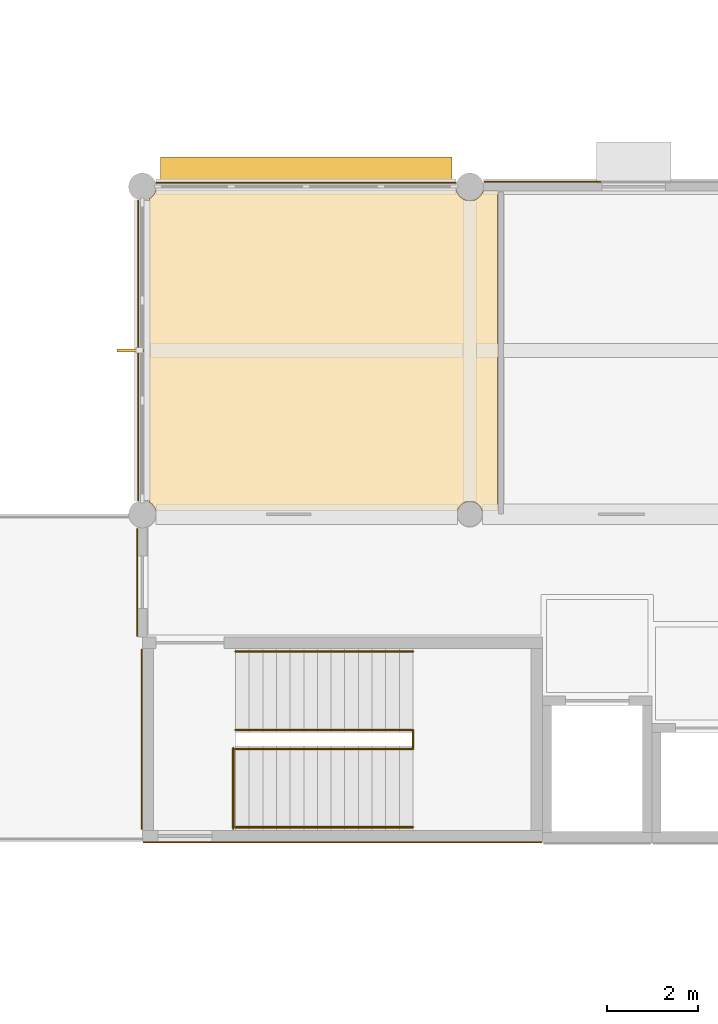
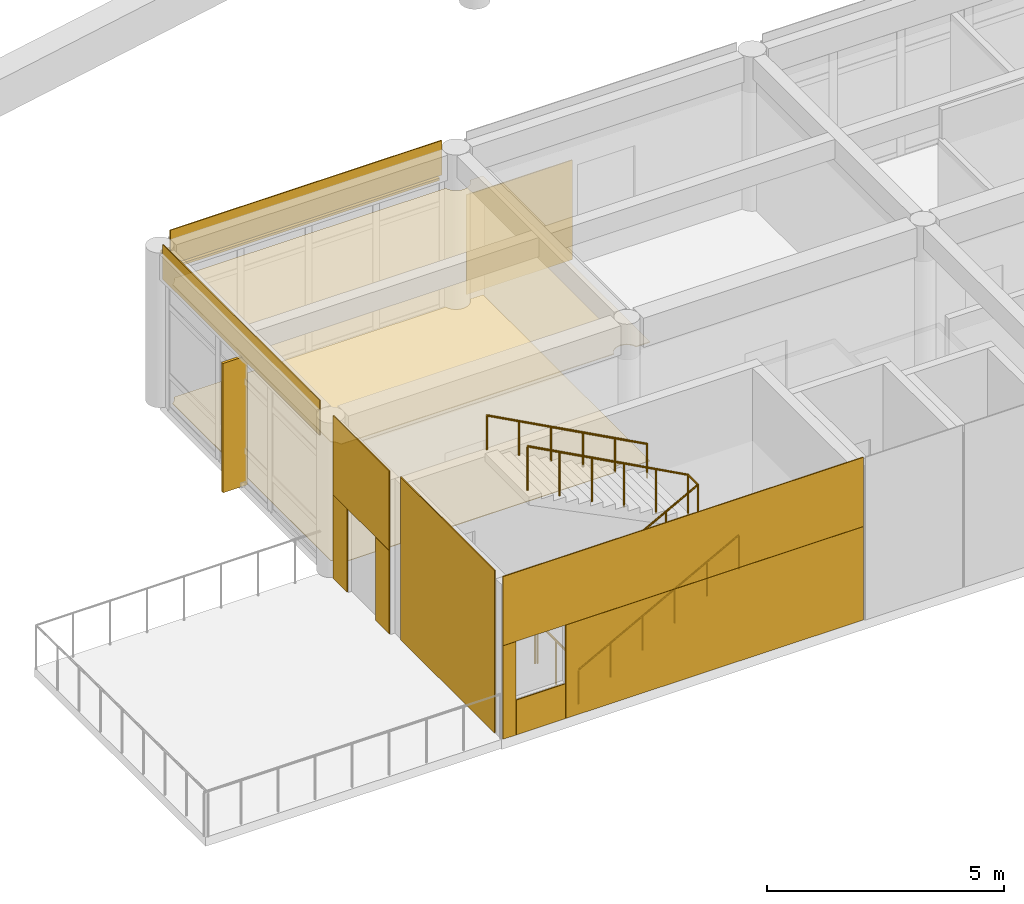
# One storey, part 31 of 37: 13 coverings, 4 railings, 2 shading devices.
"""IFC4 building model written with IfcOpenShell, lengths in metres."""

from ifc_helpers import new_model, si_unit, direction, frame, origin, origin_2d, place, context, subcontext, project, spatial, polyline, rectangle, circle, outline, extrude, material, layer, layer_set, type_object, element, save


model = new_model("IFC4")

# Units and contexts
model_context = context("Model", 3, precision=1e-05, world=origin(), true_north=direction((0.0, 1.0)))
body_context = subcontext(model_context, "Body", "Model", "MODEL_VIEW")
ifc_project = project(units=[si_unit("LENGTHUNIT", "METRE"), si_unit("AREAUNIT", "SQUARE_METRE"), si_unit("VOLUMEUNIT", "CUBIC_METRE"), si_unit("PLANEANGLEUNIT", "RADIAN"), si_unit("MASSUNIT", "GRAM", prefix="KILO")], contexts=[model_context])

# Site, building, storey
site_placement = place(None, origin())
site = spatial("IfcSite", under=ifc_project, at=site_placement, CompositionType="ELEMENT")
building_placement = place(site_placement, origin())
building = spatial("IfcBuilding", under=site, at=building_placement, Name="Namkhue Oval Health Centre", CompositionType="ELEMENT")
storey_placement = place(building_placement, frame((0.0, 0.0, 22.199951171875)))
storey = spatial("IfcBuildingStorey", under=building, at=storey_placement, Name="L05", CompositionType="ELEMENT", Elevation=22.199951171875)

# Coverings
ifc_material_1 = material(Name="Acoustic mineral-fibre cleanroom ceiling", Category="gypsum")
ifc_layer_1 = layer(ifc_material_1, 0.02001953125)
ifc_layer_set_1 = layer_set([ifc_layer_1], Name="Acoustic mineral-fibre cleanroom ceiling")
covering_type_1 = type_object("IfcCoveringType", Name="ACOUSTIC CLEANROOM CEILING 20", PredefinedType="CEILING", material=ifc_layer_set_1)
covering_1_placement = place(storey_placement, frame((0.0, 0.0, 3.050048828125)))
element("IfcCovering", 1, at=covering_1_placement, inside=storey, type_object=covering_type_1, Name="Acoustic Ceiling L05-201 Preventive Care Terrace Lounge", PredefinedType="CEILING", context=body_context, shape_type="SweptSolid", body=[
    extrude(outline(polyline([(65.07275390625, 97.280029296875), (65.046875, 97.342529296875), (65.00146484375, 97.401611328125), (64.9423828125, 97.44677734375), (64.873779296875, 97.475341796875), (64.800048828125, 97.485107421875), (64.726318359375, 97.475341796875), (64.657470703125, 97.44677734375), (64.598388671875, 97.401611328125), (64.55322265625, 97.342529296875), (64.52734375, 97.280029296875), (57.8994140625, 97.280029296875), (57.868408203125, 97.35498046875), (57.819091796875, 97.419189453125), (57.7548828125, 97.468505859375), (57.7548828125, 104.131591796875), (57.819091796875, 104.180908203125), (57.868408203125, 104.2451171875), (57.8974609375, 104.31494140625), (64.50244140625, 104.31494140625), (64.531494140625, 104.2451171875), (64.580810546875, 104.180908203125), (64.64501953125, 104.131591796875), (64.7197265625, 104.1005859375), (64.800048828125, 104.090087890625), (64.880126953125, 104.1005859375), (64.955078125, 104.131591796875), (65.019287109375, 104.180908203125), (65.068603515625, 104.2451171875), (65.097412109375, 104.31494140625), (65.409912109375, 104.31494140625), (65.409912109375, 97.280029296875), (65.07275390625, 97.280029296875)])), origin(), (0.0, 0.0, 1.0), 0.02001953125),
])
ifc_material_2 = material(Name="Homogeneous anti-bacterial clinical vinyl flooring", Category="plastic")
ifc_layer_2 = layer(ifc_material_2, 0.014892578125)
ifc_layer_set_2 = layer_set([ifc_layer_2], Name="Homogeneous anti-bacterial clinical vinyl flooring")
covering_type_2 = type_object("IfcCoveringType", Name="CLINICAL ANTIBACTERIAL VINYL FLOORING 15", PredefinedType="FLOORING", material=ifc_layer_set_2)
covering_2_placement = place(storey_placement, origin())
element("IfcCovering", 2, at=covering_2_placement, inside=storey, type_object=covering_type_2, Name="Clinical Flooring L05-201 Preventive Care Terrace Lounge", PredefinedType="FLOORING", context=body_context, shape_type="SweptSolid", body=[
    extrude(outline(polyline([(65.07275390625, 97.280029296875), (65.046875, 97.342529296875), (65.00146484375, 97.401611328125), (64.9423828125, 97.44677734375), (64.873779296875, 97.475341796875), (64.800048828125, 97.485107421875), (64.726318359375, 97.475341796875), (64.657470703125, 97.44677734375), (64.598388671875, 97.401611328125), (64.55322265625, 97.342529296875), (64.52734375, 97.280029296875), (57.8994140625, 97.280029296875), (57.868408203125, 97.35498046875), (57.819091796875, 97.419189453125), (57.7548828125, 97.468505859375), (57.7548828125, 104.131591796875), (57.819091796875, 104.180908203125), (57.868408203125, 104.2451171875), (57.8974609375, 104.31494140625), (64.50244140625, 104.31494140625), (64.531494140625, 104.2451171875), (64.580810546875, 104.180908203125), (64.64501953125, 104.131591796875), (64.7197265625, 104.1005859375), (64.800048828125, 104.090087890625), (64.880126953125, 104.1005859375), (64.955078125, 104.131591796875), (65.019287109375, 104.180908203125), (65.068603515625, 104.2451171875), (65.097412109375, 104.31494140625), (65.409912109375, 104.31494140625), (65.409912109375, 97.280029296875), (65.07275390625, 97.280029296875)])), origin(), (0.0, 0.0, 1.0), 0.01513671875),
])

# Railings
ifc_material_3 = material(Name="Brushed stainless steel 316L balustrade with laminated glass infill", Category="steel")
railing_type_1 = type_object("IfcRailingType", Name="INTERIOR BALUSTRADE GUARD 1150", PredefinedType="BALUSTRADE", material=ifc_material_3)
railing_1_placement = place(storey_placement, frame((59.60009765625, 90.2900390625, 0.0)))
element("IfcRailing", 3, at=railing_1_placement, inside=storey, type_object=railing_type_1, Name="Stair ST-03 L05 Landing Well Edge Guard", PredefinedType="BALUSTRADE", context=body_context, shape_type="SweptSolid", body=[
    extrude(circle(Radius=0.02392578125, at=origin_2d()), frame((0.0, 0.0, 1.1259765625), z_axis=(0.0, 1.0, 0.0), x_axis=(-1.0, 0.0, 0.0)), (0.0, 0.0, 1.0), 1.77001953125),
    extrude(circle(Radius=0.02099609375, at=origin_2d()), origin(), (0.0, 0.0, 1.0), 1.101806640625),
    extrude(circle(Radius=0.02099609375, at=origin_2d()), frame((0.0, 0.885009765625, 0.0)), (0.0, 0.0, 1.0), 1.101806640625),
    extrude(circle(Radius=0.02099609375, at=origin_2d()), frame((0.0, 1.77001953125, 0.0)), (0.0, 0.0, 1.0), 1.101806640625),
])
railing_2_placement = place(storey_placement, frame((59.64990234375, 92.0400390625, 0.0)))
element("IfcRailing", 4, at=railing_2_placement, inside=storey, type_object=railing_type_1, Name="Stair ST-03 L05 Inner Well Guard", PredefinedType="BALUSTRADE", context=body_context, shape_type="SweptSolid", body=[
    extrude(circle(Radius=0.02392578125, at=origin_2d()), frame((0.0, 0.0, 1.1259765625), z_axis=(0.880469330154, 0.0, 0.474103109733), x_axis=(0.0, 1.0, 0.0)), (0.0, 0.0, 1.0), 4.4296875),
    extrude(circle(Radius=0.02392578125, at=origin_2d()), frame((3.900146484375, 0.0, 3.22607421875), z_axis=(0.0, 1.0, 0.0), x_axis=(-1.0, 0.0, 0.0)), (0.0, 0.0, 1.0), 0.419921875),
    extrude(circle(Radius=0.02392578125, at=origin_2d()), frame((3.900146484375, 0.419921875, 3.22607421875), z_axis=(-0.88049233674, 0.0, 0.474060381114), x_axis=(0.0, -1.0, 0.0)), (0.0, 0.0, 1.0), 4.429443359375),
    extrude(circle(Radius=0.02099609375, at=origin_2d()), origin(), (0.0, 0.0, 1.0), 1.101806640625),
    extrude(circle(Radius=0.02099609375, at=origin_2d()), frame((0.780029296875, 0.0, 0.419921875)), (0.0, 0.0, 1.0), 1.101806640625),
    extrude(circle(Radius=0.02099609375, at=origin_2d()), frame((1.56005859375, 0.0, 0.840087890625)), (0.0, 0.0, 1.0), 1.101806640625),
    extrude(circle(Radius=0.02099609375, at=origin_2d()), frame((2.340087890625, 0.0, 1.260009765625)), (0.0, 0.0, 1.0), 1.101806640625),
    extrude(circle(Radius=0.02099609375, at=origin_2d()), frame((3.1201171875, 0.0, 1.68017578125)), (0.0, 0.0, 1.0), 1.101806640625),
    extrude(circle(Radius=0.02099609375, at=origin_2d()), frame((3.900146484375, 0.0, 2.10009765625)), (0.0, 0.0, 1.0), 1.101806640625),
    extrude(circle(Radius=0.02099609375, at=origin_2d()), frame((3.900146484375, 0.419921875, 2.10009765625)), (0.0, 0.0, 1.0), 1.101806640625),
    extrude(circle(Radius=0.02099609375, at=origin_2d()), frame((3.1201171875, 0.419921875, 2.52001953125)), (0.0, 0.0, 1.0), 1.101806640625),
    extrude(circle(Radius=0.02099609375, at=origin_2d()), frame((2.340087890625, 0.419921875, 2.93994140625)), (0.0, 0.0, 1.0), 1.101806640625),
    extrude(circle(Radius=0.02099609375, at=origin_2d()), frame((1.56005859375, 0.419921875, 3.360107421875)), (0.0, 0.0, 1.0), 1.101806640625),
    extrude(circle(Radius=0.02099609375, at=origin_2d()), frame((0.780029296875, 0.419921875, 3.780029296875)), (0.0, 0.0, 1.0), 1.101806640625),
    extrude(circle(Radius=0.02099609375, at=origin_2d()), frame((0.0, 0.419921875, 4.199951171875)), (0.0, 0.0, 1.0), 1.101806640625),
])
ifc_material_4 = material(Name="Brushed stainless steel 304 tubular handrail", Category="steel")
railing_type_2 = type_object("IfcRailingType", Name="INTERIOR STAIR HANDRAIL 900", PredefinedType="HANDRAIL", material=ifc_material_4)
railing_3_placement = place(storey_placement, frame((59.64990234375, 90.320068359375, 0.0)))
element("IfcRailing", 5, at=railing_3_placement, inside=storey, type_object=railing_type_2, Name="Stair ST-03 L05 Flight 1 Handrail", PredefinedType="HANDRAIL", context=body_context, shape_type="SweptSolid", body=[
    extrude(circle(Radius=0.02392578125, at=origin_2d()), frame((0.0, 0.0, 0.8759765625), z_axis=(0.880469330154, 0.0, 0.474103109733), x_axis=(0.0, 1.0, 0.0)), (0.0, 0.0, 1.0), 4.4296875),
    extrude(circle(Radius=0.02099609375, at=origin_2d()), origin(), (0.0, 0.0, 1.0), 0.851806640625),
    extrude(circle(Radius=0.02099609375, at=origin_2d()), frame((0.780029296875, 0.0, 0.419921875)), (0.0, 0.0, 1.0), 0.851806640625),
    extrude(circle(Radius=0.02099609375, at=origin_2d()), frame((1.56005859375, 0.0, 0.840087890625)), (0.0, 0.0, 1.0), 0.851806640625),
    extrude(circle(Radius=0.02099609375, at=origin_2d()), frame((2.340087890625, 0.0, 1.260009765625)), (0.0, 0.0, 1.0), 0.851806640625),
    extrude(circle(Radius=0.02099609375, at=origin_2d()), frame((3.1201171875, 0.0, 1.68017578125)), (0.0, 0.0, 1.0), 0.851806640625),
    extrude(circle(Radius=0.02099609375, at=origin_2d()), frame((3.900146484375, 0.0, 2.10009765625)), (0.0, 0.0, 1.0), 0.851806640625),
])
railing_4_placement = place(storey_placement, frame((63.550048828125, 94.179931640625, 2.10009765625)))
element("IfcRailing", 6, at=railing_4_placement, inside=storey, type_object=railing_type_2, Name="Stair ST-03 L05 Flight 2 Handrail", PredefinedType="HANDRAIL", context=body_context, shape_type="SweptSolid", body=[
    extrude(circle(Radius=0.02392578125, at=origin_2d()), frame((0.0, 0.0, 0.8759765625), z_axis=(-0.88049233674, 0.0, 0.474060381114), x_axis=(0.0, -1.0, 0.0)), (0.0, 0.0, 1.0), 4.429443359375),
    extrude(circle(Radius=0.02099609375, at=origin_2d()), origin(), (0.0, 0.0, 1.0), 0.851806640625),
    extrude(circle(Radius=0.02099609375, at=origin_2d()), frame((-0.780029296875, 0.0, 0.419921875)), (0.0, 0.0, 1.0), 0.851806640625),
    extrude(circle(Radius=0.02099609375, at=origin_2d()), frame((-1.56005859375, 0.0, 0.83984375)), (0.0, 0.0, 1.0), 0.851806640625),
    extrude(circle(Radius=0.02099609375, at=origin_2d()), frame((-2.340087890625, 0.0, 1.260009765625)), (0.0, 0.0, 1.0), 0.851806640625),
    extrude(circle(Radius=0.02099609375, at=origin_2d()), frame((-3.1201171875, 0.0, 1.679931640625)), (0.0, 0.0, 1.0), 0.851806640625),
    extrude(circle(Radius=0.02099609375, at=origin_2d()), frame((-3.900146484375, 0.0, 2.099853515625)), (0.0, 0.0, 1.0), 0.851806640625),
])

# Shading devices
ifc_material_5 = material(Name="Anodised aluminium EN AW-6063 T6", Category="aluminium")
ifc_layer_3 = layer(ifc_material_5, 0.050048828125)
ifc_layer_set_3 = layer_set([ifc_layer_3], Name="Anodised aluminium EN AW-6063 T6")
shading_device_type_1 = type_object("IfcShadingDeviceType", Name="STORM SHUTTER LOUVRE 650", PredefinedType="SHUTTER", material=ifc_layer_set_3)
shading_device_1_placement = place(storey_placement, frame((61.199951171875, 104.72509765625, 3.255126953125), z_axis=(0.0, 0.0, 1.0), x_axis=(-1.0, 0.0, 0.0)))
element("IfcShadingDevice", 7, at=shading_device_1_placement, inside=storey, type_object=shading_device_type_1, Name="Volume V2 L05 Horizontal Monsoon Sun Louvre 115", PredefinedType="SHUTTER", context=body_context, shape_type="SweptSolid", body=[
    extrude(rectangle(XDim=6.409912109375, YDim=0.64990234375, at=origin_2d()), origin(), (0.0, 0.0, 1.0), 0.06005859375),
])
shading_device_type_2 = type_object("IfcShadingDeviceType", Name="VERTICAL SOLAR FIN 600", PredefinedType="USERDEFINED", material=ifc_material_5)
shading_device_2_placement = place(storey_placement, frame((57.340087890625, 100.800048828125, 0.0), z_axis=(0.0, 0.0, 1.0), x_axis=(-1.0, 0.0, 0.0)))
element("IfcShadingDevice", 8, at=shading_device_2_placement, inside=storey, type_object=shading_device_type_2, Name="Volume V2 L05 Extruded Aluminium Solar Fin 116", ObjectType="SOLAR FIN", PredefinedType="USERDEFINED", context=body_context, shape_type="SweptSolid", body=[
    extrude(rectangle(XDim=0.60009765625, YDim=0.06005859375, at=origin_2d()), origin(), (0.0, 0.0, 1.0), 3.324951171875),
])

# Coverings
ifc_material_6 = material(Name="White glass-fibre reinforced concrete GRC rainscreen cladding", Category="concrete")
ifc_layer_4 = layer(ifc_material_6, 0.02490234375)
ifc_layer_set_4 = layer_set([ifc_layer_4], Name="White glass-fibre reinforced concrete GRC rainscreen cladding")
covering_type_3 = type_object("IfcCoveringType", Name="WHITE GRC RAINSCREEN CLADDING 25", PredefinedType="CLADDING", material=ifc_layer_set_4)
covering_3_placement = place(storey_placement, frame((66.39990234375, 104.507080078125, 0.010009765625), z_axis=(0.0, 0.0, 1.0), x_axis=(-1.0, 0.0, 0.0)))
element("IfcCovering", 9, at=covering_3_placement, inside=storey, type_object=covering_type_3, Name="Volume V2 L05 Facade 50 White GRC Cladding 4", PredefinedType="CLADDING", context=body_context, shape_type="SweptSolid", body=[
    extrude(rectangle(XDim=2.570068359375, YDim=0.02490234375, at=origin_2d()), origin(), (0.0, 0.0, 1.0), 2.56005859375),
])
for number, where, z_axis, x_axis, name in (
    (10, (61.199951171875, 104.488525390625, 3.31005859375), (0.0, 0.0, 1.0), (-1.0, 0.0, 0.0), "Volume V2 L05 Curtain Wall Spandrel Cladding 89"),
    (11, (57.511474609375, 100.800048828125, 3.31005859375), (0.0, 0.0, 1.0), (0.0, -1.0, 0.0), "Volume V2 L05 Curtain Wall Spandrel Cladding 90"),
):
    element("IfcCovering", number, at=place(storey_placement, frame(where, z_axis=z_axis, x_axis=x_axis)), inside=storey, type_object=covering_type_3, Name=name, PredefinedType="CLADDING", context=body_context, shape_type="SweptSolid", body=[
        extrude(rectangle(XDim=6.60009765625, YDim=0.02490234375, at=origin_2d()), origin(), (0.0, 0.0, 1.0), 0.889892578125),
    ])
covering_4_placement = place(storey_placement, frame((57.488037109375, 95.70361328125, 2.1552734375), z_axis=(0.0, 0.0, 1.0), x_axis=(0.0, -1.0, 0.0)))
element("IfcCovering", 12, at=covering_4_placement, inside=storey, type_object=covering_type_3, Name="Volume V2 L05 Facade 51 White GRC Cladding 1", PredefinedType="CLADDING", context=body_context, shape_type="SweptSolid", body=[
    extrude(rectangle(XDim=2.363037109375, YDim=0.02490234375, at=origin_2d()), origin(), (0.0, 0.0, 1.0), 2.034912109375),
])
for number, where, z_axis, x_axis, name in (
    (13, (57.488037109375, 96.591796875, 0.01025390625), (0.0, 0.0, 1.0), (0.0, -1.0, 0.0), "Volume V2 L05 Facade 51 White GRC Cladding 2"),
    (14, (57.488037109375, 94.815185546875, 0.01025390625), (0.0, 0.0, 1.0), (0.0, -1.0, 0.0), "Volume V2 L05 Facade 51 White GRC Cladding 3"),
):
    element("IfcCovering", number, at=place(storey_placement, frame(where, z_axis=z_axis, x_axis=x_axis)), inside=storey, type_object=covering_type_3, Name=name, PredefinedType="CLADDING", context=body_context, shape_type="SweptSolid", body=[
        extrude(rectangle(XDim=0.58642578125, YDim=0.02490234375, at=origin_2d()), origin(), (0.0, 0.0, 1.0), 2.139892578125),
    ])
covering_5_placement = place(storey_placement, frame((62.0, 89.988037109375, 2.4150390625), z_axis=(0.0, 0.0, 1.0), x_axis=(1.0, 0.0, 0.0)))
element("IfcCovering", 15, at=covering_5_placement, inside=storey, type_object=covering_type_3, Name="Core SC-03 L05 Core S White GRC Cladding 1", PredefinedType="CLADDING", context=body_context, shape_type="SweptSolid", body=[
    extrude(rectangle(XDim=8.760009765625, YDim=0.02490234375, at=origin_2d()), origin(), (0.0, 0.0, 1.0), 1.77490234375),
])
covering_6_placement = place(storey_placement, frame((57.777587890625, 89.988037109375, 0.010009765625), z_axis=(0.0, 0.0, 1.0), x_axis=(1.0, 0.0, 0.0)))
element("IfcCovering", 16, at=covering_6_placement, inside=storey, type_object=covering_type_3, Name="Core SC-03 L05 Core S White GRC Cladding 2", PredefinedType="CLADDING", context=body_context, shape_type="SweptSolid", body=[
    extrude(rectangle(XDim=0.31494140625, YDim=0.02490234375, at=origin_2d()), origin(), (0.0, 0.0, 1.0), 2.39990234375),
])
covering_7_placement = place(storey_placement, frame((58.5400390625, 89.988037109375, 0.010009765625), z_axis=(0.0, 0.0, 1.0), x_axis=(1.0, 0.0, 0.0)))
element("IfcCovering", 17, at=covering_7_placement, inside=storey, type_object=covering_type_3, Name="Core SC-03 L05 Core S White GRC Cladding 3", PredefinedType="CLADDING", context=body_context, shape_type="SweptSolid", body=[
    extrude(rectangle(XDim=1.199951171875, YDim=0.02490234375, at=origin_2d()), origin(), (0.0, 0.0, 1.0), 0.89501953125),
])
covering_8_placement = place(storey_placement, frame((62.762451171875, 89.988037109375, 0.010009765625), z_axis=(0.0, 0.0, 1.0), x_axis=(1.0, 0.0, 0.0)))
element("IfcCovering", 18, at=covering_8_placement, inside=storey, type_object=covering_type_3, Name="Core SC-03 L05 Core S White GRC Cladding 4", PredefinedType="CLADDING", context=body_context, shape_type="SweptSolid", body=[
    extrude(rectangle(XDim=7.235107421875, YDim=0.02490234375, at=origin_2d()), origin(), (0.0, 0.0, 1.0), 2.39990234375),
])
covering_9_placement = place(storey_placement, frame((57.587890625, 92.25, 0.01025390625), z_axis=(0.0, 0.0, 1.0), x_axis=(0.0, -1.0, 0.0)))
element("IfcCovering", 19, at=covering_9_placement, inside=storey, type_object=covering_type_3, Name="Core SC-03 L05 Core W White GRC Cladding 1", PredefinedType="CLADDING", context=body_context, shape_type="SweptSolid", body=[
    extrude(rectangle(XDim=3.9599609375, YDim=0.02490234375, at=origin_2d()), origin(), (0.0, 0.0, 1.0), 4.179931640625),
])

save(model, "model.ifc")
